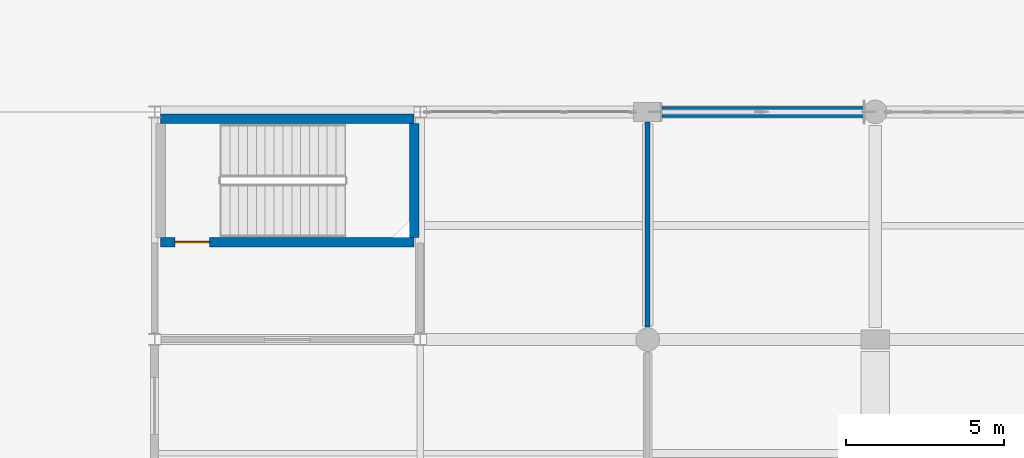
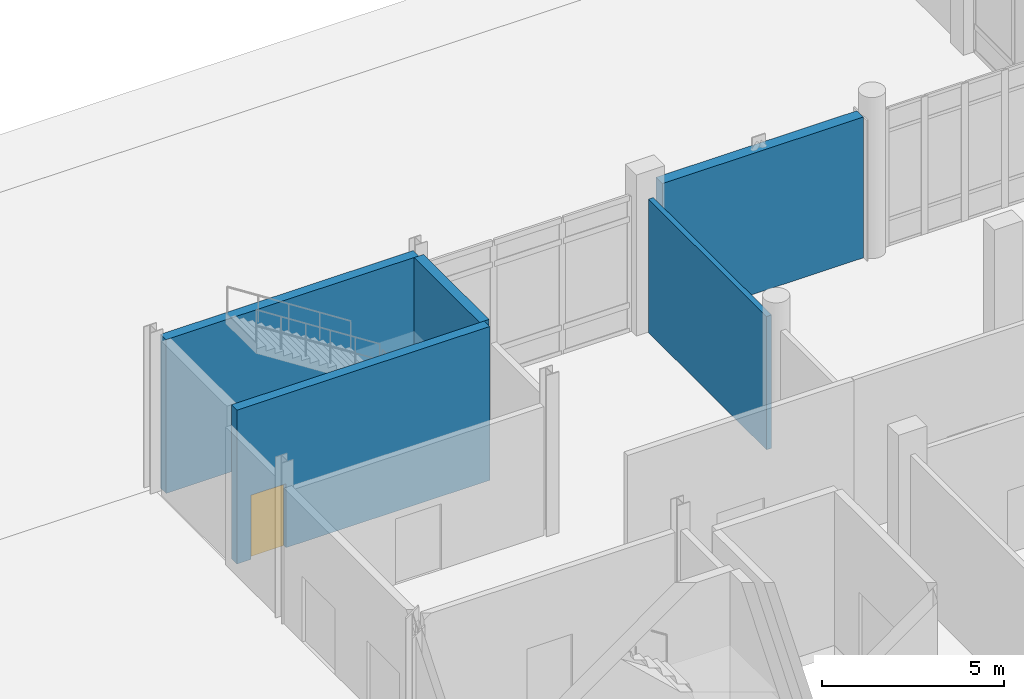
# One storey, part 198 of 229: 5 walls, 1 door, 1 opening.
"""IFC4 building model written with IfcOpenShell, lengths in metres."""

from ifc_helpers import new_model, si_unit, direction, frame, frame_2d, origin, place, context, subcontext, project, spatial, rectangle, extrude, material, layer, layer_set, type_object, element, fill, save


model = new_model("IFC4")

# Units and contexts
model_context = context("Model", 3, precision=1e-05, world=origin(), true_north=direction((0.0, 1.0)))
body_context = subcontext(model_context, "Body", "Model", "MODEL_VIEW")
ifc_project = project(units=[si_unit("LENGTHUNIT", "METRE"), si_unit("AREAUNIT", "SQUARE_METRE"), si_unit("VOLUMEUNIT", "CUBIC_METRE"), si_unit("PLANEANGLEUNIT", "RADIAN"), si_unit("MASSUNIT", "GRAM", prefix="KILO")], contexts=[model_context])

# Site, building, storey
site_placement = place(None, origin())
site = spatial("IfcSite", under=ifc_project, at=site_placement, CompositionType="ELEMENT")
building_placement = place(site_placement, origin())
building = spatial("IfcBuilding", under=site, at=building_placement, Name="Calvrana Isthmian Art Gallery", CompositionType="ELEMENT")
storey_placement = place(building_placement, origin())
storey = spatial("IfcBuildingStorey", under=building, at=storey_placement, Name="L00", CompositionType="ELEMENT", Elevation=0.0)

# Wall, opening, door
ifc_material_1 = material(Name="Concrete C40/50", Category="concrete")
ifc_layer_1 = layer(ifc_material_1, 0.300048828125, Name="Concrete C40/50")
ifc_layer_set_1 = layer_set([ifc_layer_1], Name="Concrete C40/50")
wall_type_1 = type_object("IfcWallType", Name="CW-SHAFT-300", PredefinedType="SHEAR", material=ifc_layer_set_1)
wall_1_placement = place(storey_placement, frame((104.590087890625, 94.280029296875, 0.0), z_axis=(0.0, 0.0, 1.0), x_axis=(1.0, 0.0, 0.0)))
wall_1 = element("IfcWall", 1, at=wall_1_placement, inside=storey, type_object=wall_type_1, Name="Core C8 shear wall S L00", PredefinedType="SHEAR", context=body_context, shape_type="SweptSolid", body=[
    extrude(rectangle(XDim=8.02001953125, YDim=0.300048828125, at=frame_2d((4.010009765625, 0.0))), origin(), (0.0, 0.0, 1.0), 5.159912109375),
])
opening_placement = place(wall_1_placement, frame((0.449951171875, 0.0, 0.0)))
opening = element("IfcOpeningElement", 2, at=opening_placement, cuts=wall_1, Name="Opening D-182", PredefinedType="OPENING", context=body_context, shape_type="SweptSolid", body=[
    extrude(rectangle(XDim=1.10009765625, YDim=2.14990234375, at=frame_2d((0.550048828125, 1.074951171875))), frame((0.0, 0.16015625, 0.0), z_axis=(0.0, -1.0, 0.0), x_axis=(1.0, 0.0, 0.0)), (0.0, 0.0, 1.0), 0.320556640625),
])
ifc_material_2 = material(Name="Steel ASTM A572 Gr 50", Category="steel")
door_type = type_object("IfcDoorType", Name="DR-FIRE-1100", OperationType="NOTDEFINED", PredefinedType="DOOR", material=ifc_material_2)
door_placement = place(opening_placement, origin())
door = element("IfcDoor", 3, at=door_placement, inside=storey, type_object=door_type, Name="Stair ST-8 fire door L00", OperationType="SINGLE_SWING_RIGHT", OverallHeight=2.14990234375, OverallWidth=1.10009765625, PredefinedType="DOOR", context=body_context, shape_type="SweptSolid", body=[
    extrude(rectangle(XDim=1.10009765625, YDim=2.14990234375, at=frame_2d((0.550048828125, 1.074951171875))), frame((0.0, 0.02490234375, 0.0), z_axis=(0.0, -1.0, 0.0), x_axis=(1.0, 0.0, 0.0)), (0.0, 0.0, 1.0), 0.050048828125),
])
fill(opening, door)

# Walls
wall_2_placement = place(storey_placement, frame((104.590087890625, 98.179931640625, 0.0), z_axis=(0.0, 0.0, 1.0), x_axis=(1.0, 0.0, 0.0)))
element("IfcWall", 4, at=wall_2_placement, inside=storey, type_object=wall_type_1, Name="Core C8 shear wall N L00", PredefinedType="SHEAR", context=body_context, shape_type="SweptSolid", body=[
    extrude(rectangle(XDim=8.02001953125, YDim=0.300048828125, at=frame_2d((4.010009765625, 0.0))), origin(), (0.0, 0.0, 1.0), 5.159912109375),
])
wall_3_placement = place(storey_placement, frame((112.610107421875, 94.429931640625, 0.0), z_axis=(0.0, 0.0, 1.0), x_axis=(0.0, 1.0, 0.0)))
element("IfcWall", 5, at=wall_3_placement, inside=storey, type_object=wall_type_1, Name="Core C8 shear wall E L00", PredefinedType="SHEAR", context=body_context, shape_type="SweptSolid", body=[
    extrude(rectangle(XDim=3.60009765625, YDim=0.300048828125, at=frame_2d((1.800048828125, 0.0))), origin(), (0.0, 0.0, 1.0), 5.159912109375),
])
ifc_material_3 = material(Name="Precast concrete C40/50", Category="concrete")
ifc_layer_2 = layer(ifc_material_3, 0.35009765625, Name="Precast concrete C40/50")
ifc_layer_set_2 = layer_set([ifc_layer_2], Name="Precast concrete C40/50")
wall_type_2 = type_object("IfcWallType", Name="EW-PREC-350", PredefinedType="SOLIDWALL", material=ifc_layer_set_2)
wall_4_placement = place(storey_placement, frame((120.449951171875, 98.39990234375, 0.0), z_axis=(0.0, 0.0, 1.0), x_axis=(1.0, 0.0, 0.0)))
element("IfcWall", 6, at=wall_4_placement, inside=storey, type_object=wall_type_2, Name="Exterior wall EW-022", PredefinedType="SOLIDWALL", context=body_context, shape_type="SweptSolid", body=[
    extrude(rectangle(XDim=6.375, YDim=0.35009765625, at=frame_2d((3.1875, 0.0))), origin(), (0.0, 0.0, 1.0), 4.72412109375),
])
ifc_material_4 = material(Name="Acoustic gypsum ceiling", Category="gypsum")
ifc_layer_3 = layer(ifc_material_4, 0.159912109375, Name="Acoustic gypsum ceiling")
ifc_layer_set_3 = layer_set([ifc_layer_3], Name="Acoustic gypsum ceiling")
wall_type_3 = type_object("IfcWallType", Name="PW-GAL-160", PredefinedType="PARTITIONING", material=ifc_layer_set_3)
wall_5_placement = place(storey_placement, frame((120.0, 91.590087890625, 0.0), z_axis=(0.0, 0.0, 1.0), x_axis=(0.0, 1.0, 0.0)))
element("IfcWall", 7, at=wall_5_placement, inside=storey, type_object=wall_type_3, Name="Interior partition PW-242", PredefinedType="PARTITIONING", context=body_context, shape_type="SweptSolid", body=[
    extrude(rectangle(XDim=6.494873046875, YDim=0.159912109375, at=frame_2d((3.24755859375, 0.0))), origin(), (0.0, 0.0, 1.0), 4.472900390625),
])

save(model, "model.ifc")
